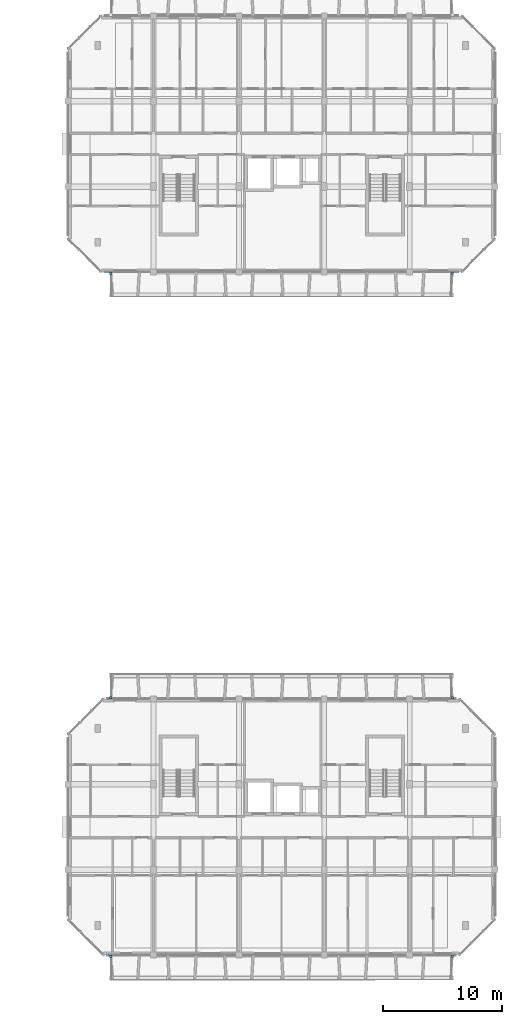
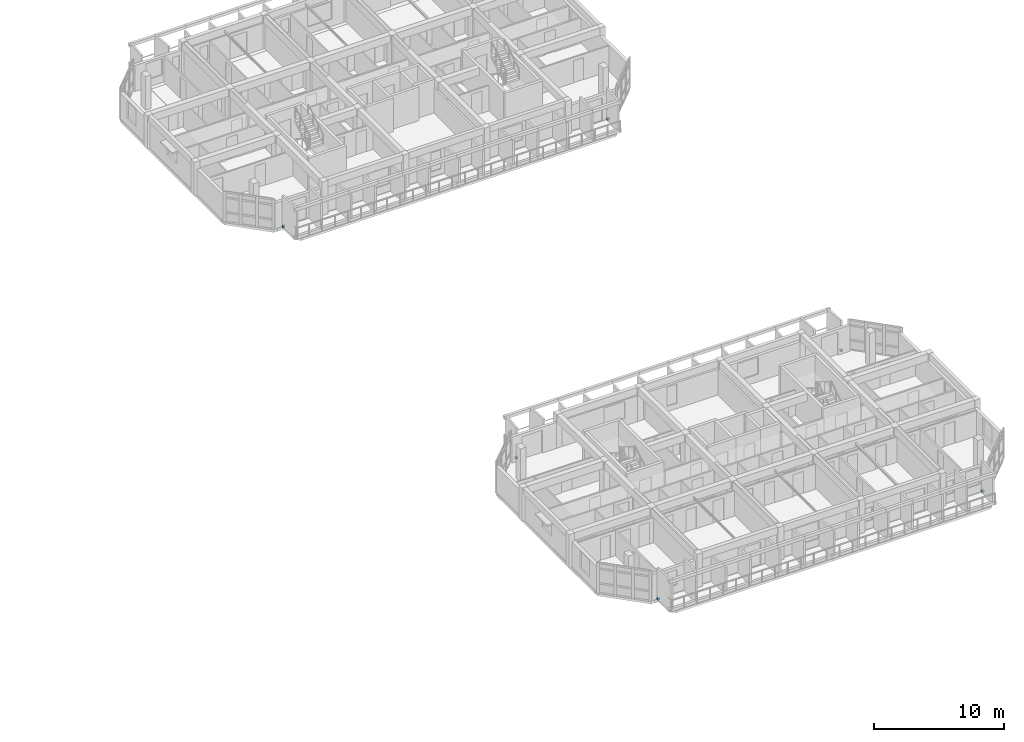
# One storey, part 34 of 46: 6 discrete accessories.
"""IFC4 building model written with IfcOpenShell, lengths in metres."""

from ifc_helpers import new_model, si_unit, direction, frame, origin, origin_2d, place, context, subcontext, project, spatial, rectangle, extrude, material, type_object, element, save


model = new_model("IFC4")

# Units and contexts
model_context = context("Model", 3, precision=1e-05, world=origin(), true_north=direction((0.0, 1.0)))
body_context = subcontext(model_context, "Body", "Model", "MODEL_VIEW")
ifc_project = project(units=[si_unit("LENGTHUNIT", "METRE"), si_unit("AREAUNIT", "SQUARE_METRE"), si_unit("VOLUMEUNIT", "CUBIC_METRE"), si_unit("PLANEANGLEUNIT", "RADIAN"), si_unit("MASSUNIT", "GRAM", prefix="KILO")], contexts=[model_context])

# Site, building, storey
site_placement = place(None, origin())
site = spatial("IfcSite", under=ifc_project, at=site_placement, CompositionType="ELEMENT")
building_placement = place(site_placement, origin())
building = spatial("IfcBuilding", under=site, at=building_placement, Name="Ochrevale Crest", CompositionType="ELEMENT")
storey_placement = place(building_placement, frame((0.0, 0.0, 24.449951171875)))
storey = spatial("IfcBuildingStorey", under=building, at=storey_placement, Name="L07", CompositionType="ELEMENT", Elevation=24.449951171875)

# Discrete accessories
ifc_material = material(Name="Galvanised steel", Category="steel")
discrete_accessory_type = type_object("IfcDiscreteAccessoryType", Name="ACC-BRK-HC", PredefinedType="BRACKET", material=ifc_material)
for number, where, z_axis, x_axis, name in (
    (1, (133.199951171875, 14.300048828125, 0.0), (0.0, 0.0, 1.0), (1.0, 0.0, 0.0), "Block C L07 precast loggia corbel bracket"),
    (2, (162.0, 14.300048828125, 0.0), (0.0, 0.0, 1.0), (1.0, 0.0, 0.0), "Block C L07 precast loggia corbel bracket"),
    (3, (133.199951171875, 36.10009765625, 0.0), (0.0, 0.0, 1.0), (1.0, 0.0, 0.0), "Block C L07 precast loggia corbel bracket"),
    (4, (162.0, 36.10009765625, 0.0), (0.0, 0.0, 1.0), (1.0, 0.0, 0.0), "Block C L07 precast loggia corbel bracket"),
    (5, (133.199951171875, 71.89990234375, 0.0), (0.0, 0.0, 1.0), (1.0, 0.0, 0.0), "Block D L07 precast loggia corbel bracket"),
    (6, (162.0, 71.89990234375, 0.0), (0.0, 0.0, 1.0), (1.0, 0.0, 0.0), "Block D L07 precast loggia corbel bracket"),
):
    element("IfcDiscreteAccessory", number, at=place(storey_placement, frame(where, z_axis=z_axis, x_axis=x_axis)), inside=storey, type_object=discrete_accessory_type, Name=name, PredefinedType="BRACKET", context=body_context, shape_type="SweptSolid", body=[
        extrude(rectangle(XDim=0.179931640625, YDim=0.219970703125, at=origin_2d()), origin(), (0.0, 0.0, 1.0), 0.179931640625),
    ])

save(model, "model.ifc")
